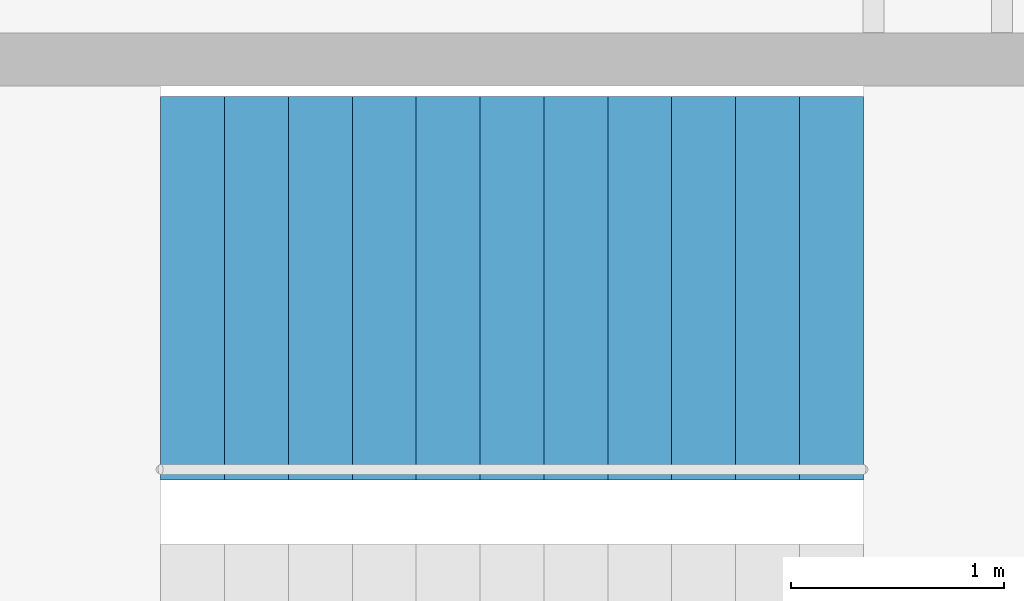
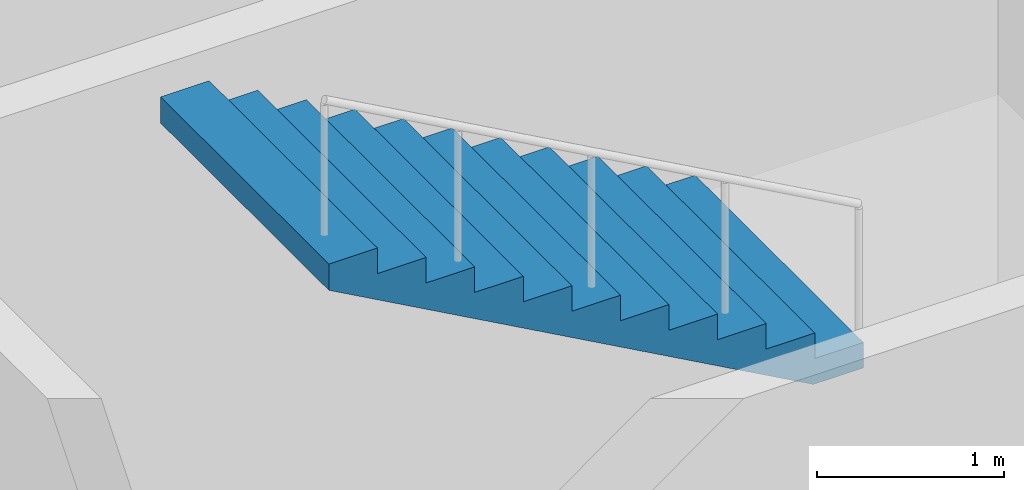
# One storey, part 6 of 8: 1 stair flight, 1 element without a shape of its own.
"""IFC4 building model written with IfcOpenShell, lengths in metres."""

from ifc_helpers import new_model, si_unit, direction, frame, origin, place, context, subcontext, project, spatial, polyline, outline, extrude, material, type_object, element, aggregate, save


model = new_model("IFC4")

# Units and contexts
model_context = context("Model", 3, precision=1e-05, world=origin(), true_north=direction((0.0, 1.0)))
body_context = subcontext(model_context, "Body", "Model", "MODEL_VIEW")
ifc_project = project(units=[si_unit("LENGTHUNIT", "METRE"), si_unit("AREAUNIT", "SQUARE_METRE"), si_unit("VOLUMEUNIT", "CUBIC_METRE"), si_unit("PLANEANGLEUNIT", "RADIAN"), si_unit("MASSUNIT", "GRAM", prefix="KILO")], contexts=[model_context])

# Site, building, storey
site_placement = place(None, origin())
site = spatial("IfcSite", under=ifc_project, at=site_placement, CompositionType="ELEMENT")
building_placement = place(site_placement, origin())
building = spatial("IfcBuilding", under=site, at=building_placement, Name="Cinnabar Reach Civic Tower", CompositionType="ELEMENT")
storey_placement = place(building_placement, frame((0.0, 0.0, 238.0)))
storey = spatial("IfcBuildingStorey", under=building, at=storey_placement, Name="L57", CompositionType="ELEMENT", Elevation=238.0)

# Stair, stair flight
ifc_material = material(Name="Concrete C40/50", Category="concrete")
stair_type = type_object("IfcStairType", Name="T1 Exit stair, half-turn", PredefinedType="HALF_TURN_STAIR", material=ifc_material)
stair_placement = place(storey_placement, origin())
stair = element("IfcStair", 1, at=stair_placement, inside=storey, type_object=stair_type, Name="Stair T1-S3", PredefinedType="HALF_TURN_STAIR")
stair_flight_type = type_object("IfcStairFlightType", Name="T1 Stair flight, concrete", PredefinedType="STRAIGHT", material=ifc_material)
stair_flight_placement = place(storey_placement, frame((35.35, 32.55, 2.0), z_axis=(0.0, 0.0, 1.0), x_axis=(-1.0, 0.0, 0.0)))
stair_flight = element("IfcStairFlight", 2, at=stair_flight_placement, type_object=stair_flight_type, Name="T1-S3 flight 2", NumberOfRisers=12, NumberOfTreads=11, PredefinedType="STRAIGHT", RiserHeight=0.166666667, TreadLength=0.3, context=body_context, shape_type="SweptSolid", body=[
    extrude(outline(polyline([(0.0, 0.0), (0.0, 0.1667), (0.3, 0.1667), (0.3, 0.3333), (0.6, 0.3333), (0.6, 0.5), (0.9, 0.5), (0.9, 0.6667), (1.2, 0.6667), (1.2, 0.8333), (1.5, 0.8333), (1.5, 1.0), (1.8, 1.0), (1.8, 1.1667), (2.1, 1.1667), (2.1, 1.3333), (2.4, 1.3333), (2.4, 1.5), (2.7, 1.5), (2.7, 1.6667), (3.0, 1.6667), (3.0, 1.8333), (3.3, 1.8333), (3.3, 2.0), (3.3, 1.6617), (0.3089, 0.0), (0.0, 0.0)])), frame((0.0, 0.9, 0.0), z_axis=(0.0, -1.0, 0.0), x_axis=(1.0, 0.0, 0.0)), (0.0, 0.0, 1.0), 1.8),
])
aggregate(stair, [stair_flight])

save(model, "model.ifc")
